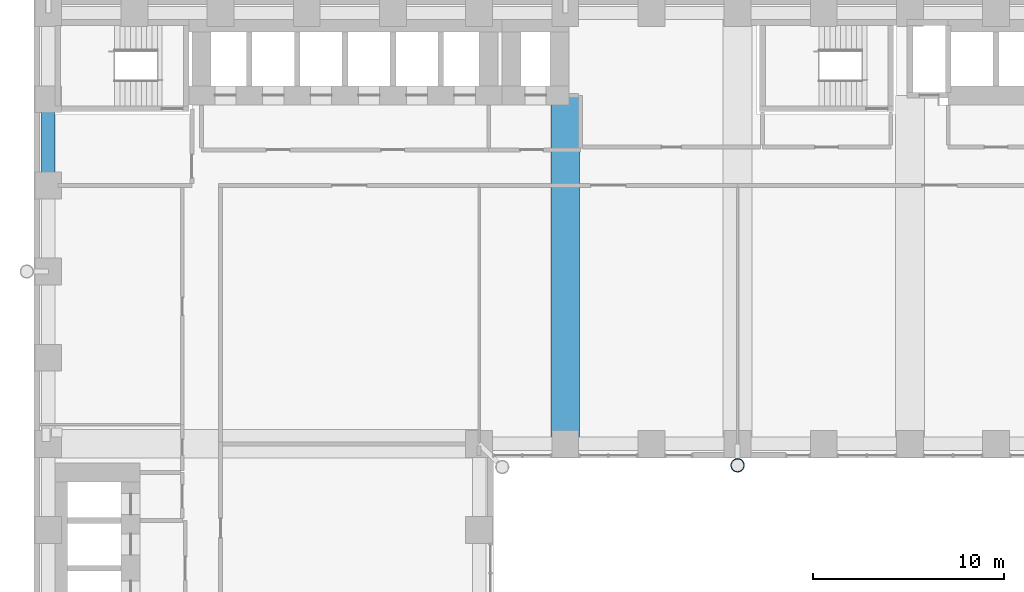
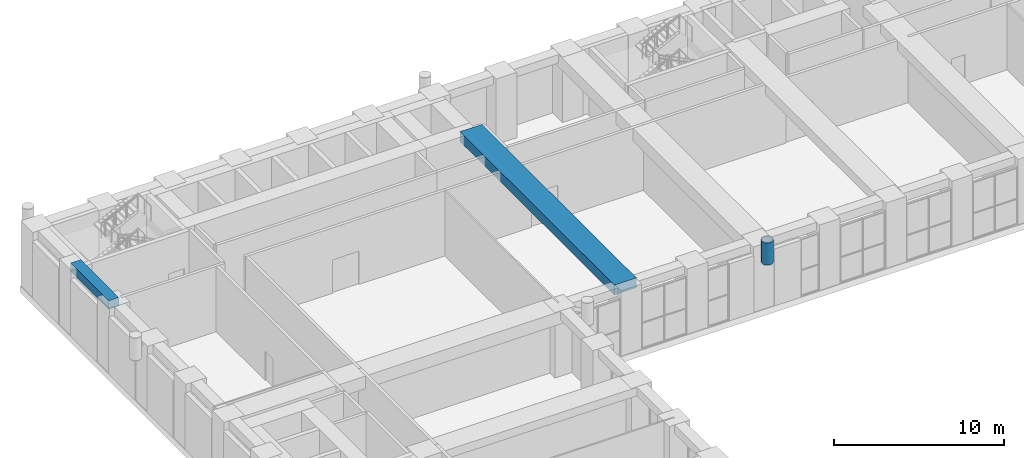
# One storey, part 5 of 35: 2 beams, 1 member.
"""IFC4 building model written with IfcOpenShell, lengths in metres."""

from ifc_helpers import new_model, si_unit, direction, frame, origin, origin_2d, place, context, subcontext, project, spatial, rectangle, hollow_circle, extrude, material, material_profile, profile_set, type_object, element, save


model = new_model("IFC4")

# Units and contexts
model_context = context("Model", 3, precision=1e-05, world=origin(), true_north=direction((0.0, 1.0)))
body_context = subcontext(model_context, "Body", "Model", "MODEL_VIEW")
ifc_project = project(units=[si_unit("LENGTHUNIT", "METRE"), si_unit("AREAUNIT", "SQUARE_METRE"), si_unit("VOLUMEUNIT", "CUBIC_METRE"), si_unit("PLANEANGLEUNIT", "RADIAN"), si_unit("MASSUNIT", "GRAM", prefix="KILO")], contexts=[model_context])

# Site, building, storey
site_placement = place(None, origin())
site = spatial("IfcSite", under=ifc_project, at=site_placement, CompositionType="ELEMENT")
building_placement = place(site_placement, origin())
building = spatial("IfcBuilding", under=site, at=building_placement, Name="Firuza Court", CompositionType="ELEMENT")
storey_placement = place(building_placement, frame((0.0, 0.0, 24.0)))
storey = spatial("IfcBuildingStorey", under=building, at=storey_placement, Name="L04", CompositionType="ELEMENT", Elevation=24.0)

# Beam
ifc_material_1 = material(Name="Concrete C40/50", Category="concrete")
ifc_material_profile_1 = material_profile(ifc_material_1, rectangle(XDim=1.5, YDim=0.699951171875, at=origin_2d()), Name="RC 1500x700")
ifc_profile_set_1 = profile_set([ifc_material_profile_1], Name="Concrete C40/50")
beam_type_1 = type_object("IfcBeamType", Name="Band beam RC 1500x700 C40/50", PredefinedType="BEAM", material=ifc_profile_set_1)
beam_1_placement = place(storey_placement, frame((27.0, 36.0, 4.35009765625), z_axis=(0.0, 1.0, 0.0), x_axis=(-1.0, 0.0, 0.0)))
element("IfcBeam", 1, at=beam_1_placement, inside=storey, type_object=beam_type_1, Name="Band beam FB1 level L05", PredefinedType="BEAM", context=body_context, shape_type="SweptSolid", body=[
    extrude(rectangle(XDim=1.5, YDim=0.699951171875, at=origin_2d()), origin(), (0.0, 0.0, 1.0), 18.199951171875),
])

# Member
ifc_material_2 = material(Name="Steel S355", Category="steel")
ifc_material_profile_2 = material_profile(ifc_material_2, hollow_circle(Radius=0.35546875, WallThickness=0.030029296875, at=origin_2d()), Name="CHS 711x30")
ifc_profile_set_2 = profile_set([ifc_material_profile_2], Name="Steel S355")
member_type = type_object("IfcMemberType", Name="Diagrid node CHS 711x30 S355", PredefinedType="USERDEFINED", material=ifc_profile_set_2)
member_placement = place(storey_placement, frame((36.0, 34.8798828125, 3.64990234375), z_axis=(0.0, 0.0, 1.0), x_axis=(1.0, 0.0, 0.0)))
element("IfcMember", 2, at=member_placement, inside=storey, type_object=member_type, Name="Diagrid node level L04", ObjectType="DIAGRID NODE", PredefinedType="USERDEFINED", context=body_context, shape_type="SweptSolid", body=[
    extrude(hollow_circle(Radius=0.35546875, WallThickness=0.030029296875, at=origin_2d()), origin(), (0.0, 0.0, 1.0), 1.60009765625),
])

# Beam
ifc_material_3 = material(Name="Concrete C40/50", Category="concrete")
ifc_material_profile_3 = material_profile(ifc_material_3, rectangle(XDim=0.699951171875, YDim=0.60009765625, at=origin_2d()), Name="RC 700x600")
ifc_profile_set_3 = profile_set([ifc_material_profile_3], Name="Concrete C40/50")
beam_type_2 = type_object("IfcBeamType", Name="Spandrel beam RC 700x600 C40/50", PredefinedType="BEAM", material=ifc_profile_set_3)
beam_2_placement = place(storey_placement, frame((0.0, 54.0, 4.39990234375), z_axis=(0.0, -1.0, 0.0), x_axis=(1.0, 0.0, 0.0)))
element("IfcBeam", 3, at=beam_2_placement, inside=storey, type_object=beam_type_2, Name="Spandrel beam SP10 level L05", PredefinedType="BEAM", context=body_context, shape_type="SweptSolid", body=[
    extrude(rectangle(XDim=0.699951171875, YDim=0.60009765625, at=origin_2d()), origin(), (0.0, 0.0, 1.0), 4.5),
])

save(model, "model.ifc")
